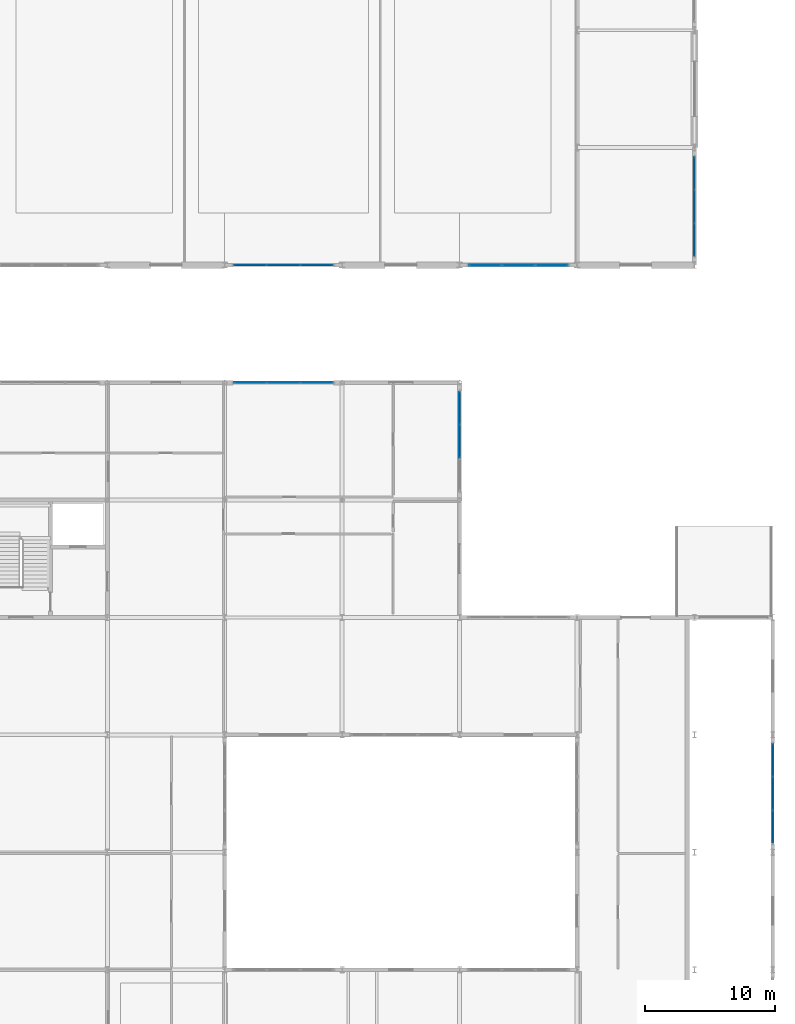
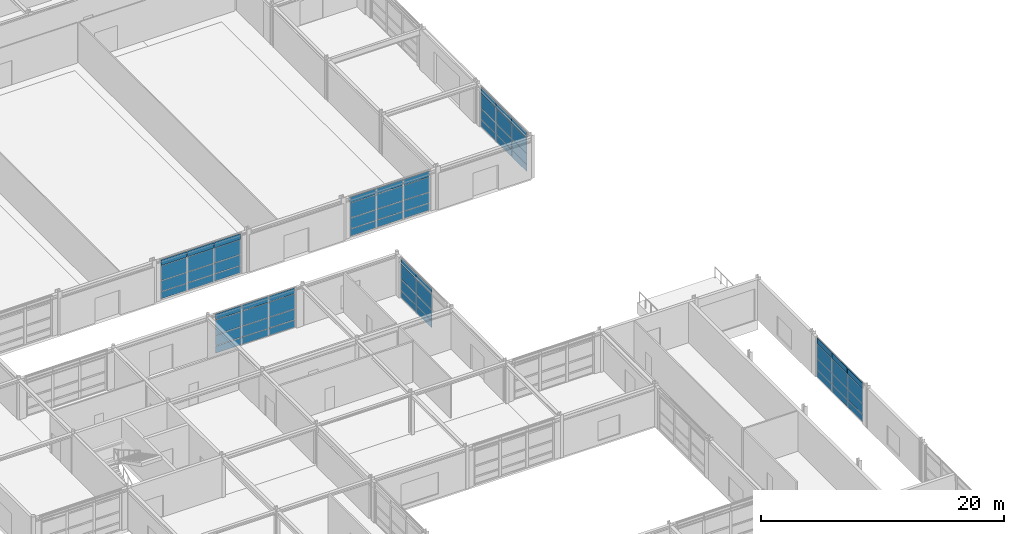
# One storey, part 53 of 72: 68 plates, 6 elements without a shape of their own.
"""IFC4 building model written with IfcOpenShell, lengths in metres."""

from ifc_helpers import new_model, si_unit, direction, frame, origin, origin_2d, place, context, subcontext, project, spatial, rectangle, extrude, material, layer, layer_set, type_object, element, aggregate, save


model = new_model("IFC4")

# Units and contexts
model_context = context("Model", 3, precision=1e-05, world=origin(), true_north=direction((0.0, 1.0)))
body_context = subcontext(model_context, "Body", "Model", "MODEL_VIEW")
ifc_project = project(units=[si_unit("LENGTHUNIT", "METRE"), si_unit("AREAUNIT", "SQUARE_METRE"), si_unit("VOLUMEUNIT", "CUBIC_METRE"), si_unit("PLANEANGLEUNIT", "RADIAN"), si_unit("MASSUNIT", "GRAM", prefix="KILO")], contexts=[model_context])

# Site, building, storey
site_placement = place(None, origin())
site = spatial("IfcSite", under=ifc_project, at=site_placement, CompositionType="ELEMENT")
building_placement = place(site_placement, origin())
building = spatial("IfcBuilding", under=site, at=building_placement, Name="Palais des Congres Ocreval", CompositionType="ELEMENT")
storey_placement = place(building_placement, origin())
storey = spatial("IfcBuildingStorey", under=building, at=storey_placement, Name="L00", CompositionType="ELEMENT", Elevation=0.0)

# Curtain wall, plates
ifc_material_1 = material(Name="Anodized bronze aluminium and low-E glass", Category="glass")
curtain_wall_type = type_object("IfcCurtainWallType", Name="Unitised Curtain Wall 7900x4060", PredefinedType="USERDEFINED", material=ifc_material_1)
curtain_wall_1_placement = place(storey_placement, origin())
curtain_wall_1 = element("IfcCurtainWall", 1, at=curtain_wall_1_placement, inside=storey, type_object=curtain_wall_type, Name="Unitised Curtain Wall CW01 L00", ObjectType="UNITISED CURTAIN WALL", PredefinedType="USERDEFINED")
ifc_material_2 = material(Name="Acoustic triple glazing", Category="glass")
ifc_layer_1 = layer(ifc_material_2, 0.0439453125)
ifc_layer_set_1 = layer_set([ifc_layer_1], Name="Acoustic Laminated Glazing Panel 44 (Acoustic triple glazing)")
plate_type_1 = type_object("IfcPlateType", Name="Acoustic Laminated Glazing Panel 44", PredefinedType="CURTAIN_PANEL", material=ifc_layer_set_1)
plate_1_placement = place(storey_placement, frame((133.0478515625, 72.0, 0.06005859375), z_axis=(0.0, 0.0, 1.0), x_axis=(-1.0, 0.0, 0.0)))
plate_1 = element("IfcPlate", 2, at=plate_1_placement, type_object=plate_type_1, Name="Vision Glazing Panel VP02", PredefinedType="CURTAIN_PANEL", context=body_context, shape_type="SweptSolid", body=[
    extrude(rectangle(XDim=2.4541015625, YDim=0.0439453125, at=origin_2d()), origin(), (0.0, 0.0, 1.0), 0.68994140625),
])
plate_2_placement = place(storey_placement, frame((133.0478515625, 72.0, 0.81005859375), z_axis=(0.0, 0.0, 1.0), x_axis=(-1.0, 0.0, 0.0)))
plate_2 = element("IfcPlate", 3, at=plate_2_placement, type_object=plate_type_1, Name="Vision Glazing Panel VP02", PredefinedType="CURTAIN_PANEL", context=body_context, shape_type="SweptSolid", body=[
    extrude(rectangle(XDim=2.4541015625, YDim=0.0439453125, at=origin_2d()), origin(), (0.0, 0.0, 1.0), 1.03271484375),
])
plate_3_placement = place(storey_placement, frame((133.0478515625, 72.0, 1.90283203125), z_axis=(0.0, 0.0, 1.0), x_axis=(-1.0, 0.0, 0.0)))
plate_3 = element("IfcPlate", 4, at=plate_3_placement, type_object=plate_type_1, Name="Vision Glazing Panel VP02", PredefinedType="CURTAIN_PANEL", context=body_context, shape_type="SweptSolid", body=[
    extrude(rectangle(XDim=2.4541015625, YDim=0.0439453125, at=origin_2d()), origin(), (0.0, 0.0, 1.0), 1.47216796875),
])
plate_4_placement = place(storey_placement, frame((130.5, 72.0, 0.06005859375), z_axis=(0.0, 0.0, 1.0), x_axis=(-1.0, 0.0, 0.0)))
plate_4 = element("IfcPlate", 5, at=plate_4_placement, type_object=plate_type_1, Name="Vision Glazing Panel VP02", PredefinedType="CURTAIN_PANEL", context=body_context, shape_type="SweptSolid", body=[
    extrude(rectangle(XDim=2.49169921875, YDim=0.0439453125, at=origin_2d()), origin(), (0.0, 0.0, 1.0), 0.68994140625),
])
plate_5_placement = place(storey_placement, frame((130.5, 72.0, 0.81005859375), z_axis=(0.0, 0.0, 1.0), x_axis=(-1.0, 0.0, 0.0)))
plate_5 = element("IfcPlate", 6, at=plate_5_placement, type_object=plate_type_1, Name="Vision Glazing Panel VP02", PredefinedType="CURTAIN_PANEL", context=body_context, shape_type="SweptSolid", body=[
    extrude(rectangle(XDim=2.49169921875, YDim=0.0439453125, at=origin_2d()), origin(), (0.0, 0.0, 1.0), 1.03271484375),
])
plate_6_placement = place(storey_placement, frame((130.5, 72.0, 1.90283203125), z_axis=(0.0, 0.0, 1.0), x_axis=(-1.0, 0.0, 0.0)))
plate_6 = element("IfcPlate", 7, at=plate_6_placement, type_object=plate_type_1, Name="Vision Glazing Panel VP02", PredefinedType="CURTAIN_PANEL", context=body_context, shape_type="SweptSolid", body=[
    extrude(rectangle(XDim=2.49169921875, YDim=0.0439453125, at=origin_2d()), origin(), (0.0, 0.0, 1.0), 1.47216796875),
])
plate_7_placement = place(storey_placement, frame((127.9521484375, 72.0, 0.06005859375), z_axis=(0.0, 0.0, 1.0), x_axis=(-1.0, 0.0, 0.0)))
plate_7 = element("IfcPlate", 8, at=plate_7_placement, type_object=plate_type_1, Name="Vision Glazing Panel VP02", PredefinedType="CURTAIN_PANEL", context=body_context, shape_type="SweptSolid", body=[
    extrude(rectangle(XDim=2.4541015625, YDim=0.0439453125, at=origin_2d()), origin(), (0.0, 0.0, 1.0), 0.68994140625),
])
plate_8_placement = place(storey_placement, frame((127.9521484375, 72.0, 0.81005859375), z_axis=(0.0, 0.0, 1.0), x_axis=(-1.0, 0.0, 0.0)))
plate_8 = element("IfcPlate", 9, at=plate_8_placement, type_object=plate_type_1, Name="Vision Glazing Panel VP02", PredefinedType="CURTAIN_PANEL", context=body_context, shape_type="SweptSolid", body=[
    extrude(rectangle(XDim=2.4541015625, YDim=0.0439453125, at=origin_2d()), origin(), (0.0, 0.0, 1.0), 1.03271484375),
])
plate_9_placement = place(storey_placement, frame((127.9521484375, 72.0, 1.90283203125), z_axis=(0.0, 0.0, 1.0), x_axis=(-1.0, 0.0, 0.0)))
plate_9 = element("IfcPlate", 10, at=plate_9_placement, type_object=plate_type_1, Name="Vision Glazing Panel VP02", PredefinedType="CURTAIN_PANEL", context=body_context, shape_type="SweptSolid", body=[
    extrude(rectangle(XDim=2.4541015625, YDim=0.0439453125, at=origin_2d()), origin(), (0.0, 0.0, 1.0), 1.47216796875),
])

curtain_wall_2_placement = place(storey_placement, origin())
curtain_wall_2 = element("IfcCurtainWall", 11, at=curtain_wall_2_placement, inside=storey, type_object=curtain_wall_type, Name="Unitised Curtain Wall CW01 L00", ObjectType="UNITISED CURTAIN WALL", PredefinedType="USERDEFINED")
plate_10_placement = place(storey_placement, frame((127.9521484375, 63.0, 0.06005859375), z_axis=(0.0, 0.0, 1.0), x_axis=(1.0, 0.0, 0.0)))
plate_10 = element("IfcPlate", 12, at=plate_10_placement, type_object=plate_type_1, Name="Vision Glazing Panel VP02", PredefinedType="CURTAIN_PANEL", context=body_context, shape_type="SweptSolid", body=[
    extrude(rectangle(XDim=2.4541015625, YDim=0.0439453125, at=origin_2d()), origin(), (0.0, 0.0, 1.0), 0.68994140625),
])
plate_11_placement = place(storey_placement, frame((127.9521484375, 63.0, 0.81005859375), z_axis=(0.0, 0.0, 1.0), x_axis=(1.0, 0.0, 0.0)))
plate_11 = element("IfcPlate", 13, at=plate_11_placement, type_object=plate_type_1, Name="Vision Glazing Panel VP02", PredefinedType="CURTAIN_PANEL", context=body_context, shape_type="SweptSolid", body=[
    extrude(rectangle(XDim=2.4541015625, YDim=0.0439453125, at=origin_2d()), origin(), (0.0, 0.0, 1.0), 1.03271484375),
])
plate_12_placement = place(storey_placement, frame((127.9521484375, 63.0, 1.90283203125), z_axis=(0.0, 0.0, 1.0), x_axis=(1.0, 0.0, 0.0)))
plate_12 = element("IfcPlate", 14, at=plate_12_placement, type_object=plate_type_1, Name="Vision Glazing Panel VP02", PredefinedType="CURTAIN_PANEL", context=body_context, shape_type="SweptSolid", body=[
    extrude(rectangle(XDim=2.4541015625, YDim=0.0439453125, at=origin_2d()), origin(), (0.0, 0.0, 1.0), 1.47216796875),
])
plate_13_placement = place(storey_placement, frame((130.5, 63.0, 0.06005859375), z_axis=(0.0, 0.0, 1.0), x_axis=(1.0, 0.0, 0.0)))
plate_13 = element("IfcPlate", 15, at=plate_13_placement, type_object=plate_type_1, Name="Vision Glazing Panel VP02", PredefinedType="CURTAIN_PANEL", context=body_context, shape_type="SweptSolid", body=[
    extrude(rectangle(XDim=2.49169921875, YDim=0.0439453125, at=origin_2d()), origin(), (0.0, 0.0, 1.0), 0.68994140625),
])
plate_14_placement = place(storey_placement, frame((130.5, 63.0, 0.81005859375), z_axis=(0.0, 0.0, 1.0), x_axis=(1.0, 0.0, 0.0)))
plate_14 = element("IfcPlate", 16, at=plate_14_placement, type_object=plate_type_1, Name="Vision Glazing Panel VP02", PredefinedType="CURTAIN_PANEL", context=body_context, shape_type="SweptSolid", body=[
    extrude(rectangle(XDim=2.49169921875, YDim=0.0439453125, at=origin_2d()), origin(), (0.0, 0.0, 1.0), 1.03271484375),
])
plate_15_placement = place(storey_placement, frame((130.5, 63.0, 1.90283203125), z_axis=(0.0, 0.0, 1.0), x_axis=(1.0, 0.0, 0.0)))
plate_15 = element("IfcPlate", 17, at=plate_15_placement, type_object=plate_type_1, Name="Vision Glazing Panel VP02", PredefinedType="CURTAIN_PANEL", context=body_context, shape_type="SweptSolid", body=[
    extrude(rectangle(XDim=2.49169921875, YDim=0.0439453125, at=origin_2d()), origin(), (0.0, 0.0, 1.0), 1.47216796875),
])
plate_16_placement = place(storey_placement, frame((133.0478515625, 63.0, 0.06005859375), z_axis=(0.0, 0.0, 1.0), x_axis=(1.0, 0.0, 0.0)))
plate_16 = element("IfcPlate", 18, at=plate_16_placement, type_object=plate_type_1, Name="Vision Glazing Panel VP02", PredefinedType="CURTAIN_PANEL", context=body_context, shape_type="SweptSolid", body=[
    extrude(rectangle(XDim=2.4541015625, YDim=0.0439453125, at=origin_2d()), origin(), (0.0, 0.0, 1.0), 0.68994140625),
])
plate_17_placement = place(storey_placement, frame((133.0478515625, 63.0, 0.81005859375), z_axis=(0.0, 0.0, 1.0), x_axis=(1.0, 0.0, 0.0)))
plate_17 = element("IfcPlate", 19, at=plate_17_placement, type_object=plate_type_1, Name="Vision Glazing Panel VP02", PredefinedType="CURTAIN_PANEL", context=body_context, shape_type="SweptSolid", body=[
    extrude(rectangle(XDim=2.4541015625, YDim=0.0439453125, at=origin_2d()), origin(), (0.0, 0.0, 1.0), 1.03271484375),
])
plate_18_placement = place(storey_placement, frame((133.0478515625, 63.0, 1.90283203125), z_axis=(0.0, 0.0, 1.0), x_axis=(1.0, 0.0, 0.0)))
plate_18 = element("IfcPlate", 20, at=plate_18_placement, type_object=plate_type_1, Name="Vision Glazing Panel VP02", PredefinedType="CURTAIN_PANEL", context=body_context, shape_type="SweptSolid", body=[
    extrude(rectangle(XDim=2.4541015625, YDim=0.0439453125, at=origin_2d()), origin(), (0.0, 0.0, 1.0), 1.47216796875),
])

curtain_wall_3_placement = place(storey_placement, origin())
curtain_wall_3 = element("IfcCurtainWall", 21, at=curtain_wall_3_placement, inside=storey, type_object=curtain_wall_type, Name="Unitised Curtain Wall CW01 L00", ObjectType="UNITISED CURTAIN WALL", PredefinedType="USERDEFINED")
plate_19_placement = place(storey_placement, frame((168.0, 34.0478515625, 0.06005859375), z_axis=(0.0, 0.0, 1.0), x_axis=(0.0, -1.0, 0.0)))
plate_19 = element("IfcPlate", 22, at=plate_19_placement, type_object=plate_type_1, Name="Vision Glazing Panel VP02", PredefinedType="CURTAIN_PANEL", context=body_context, shape_type="SweptSolid", body=[
    extrude(rectangle(XDim=2.4541015625, YDim=0.0439453125, at=origin_2d()), origin(), (0.0, 0.0, 1.0), 0.68994140625),
])
plate_20_placement = place(storey_placement, frame((168.0, 34.0478515625, 0.81005859375), z_axis=(0.0, 0.0, 1.0), x_axis=(0.0, -1.0, 0.0)))
plate_20 = element("IfcPlate", 23, at=plate_20_placement, type_object=plate_type_1, Name="Vision Glazing Panel VP02", PredefinedType="CURTAIN_PANEL", context=body_context, shape_type="SweptSolid", body=[
    extrude(rectangle(XDim=2.4541015625, YDim=0.0439453125, at=origin_2d()), origin(), (0.0, 0.0, 1.0), 1.03271484375),
])
plate_21_placement = place(storey_placement, frame((168.0, 34.0478515625, 1.90283203125), z_axis=(0.0, 0.0, 1.0), x_axis=(0.0, -1.0, 0.0)))
plate_21 = element("IfcPlate", 24, at=plate_21_placement, type_object=plate_type_1, Name="Vision Glazing Panel VP02", PredefinedType="CURTAIN_PANEL", context=body_context, shape_type="SweptSolid", body=[
    extrude(rectangle(XDim=2.4541015625, YDim=0.0439453125, at=origin_2d()), origin(), (0.0, 0.0, 1.0), 1.47216796875),
])
plate_22_placement = place(storey_placement, frame((168.0, 31.5, 0.06005859375), z_axis=(0.0, 0.0, 1.0), x_axis=(0.0, -1.0, 0.0)))
plate_22 = element("IfcPlate", 25, at=plate_22_placement, type_object=plate_type_1, Name="Vision Glazing Panel VP02", PredefinedType="CURTAIN_PANEL", context=body_context, shape_type="SweptSolid", body=[
    extrude(rectangle(XDim=2.49169921875, YDim=0.0439453125, at=origin_2d()), origin(), (0.0, 0.0, 1.0), 0.68994140625),
])
plate_23_placement = place(storey_placement, frame((168.0, 31.5, 0.81005859375), z_axis=(0.0, 0.0, 1.0), x_axis=(0.0, -1.0, 0.0)))
plate_23 = element("IfcPlate", 26, at=plate_23_placement, type_object=plate_type_1, Name="Vision Glazing Panel VP02", PredefinedType="CURTAIN_PANEL", context=body_context, shape_type="SweptSolid", body=[
    extrude(rectangle(XDim=2.49169921875, YDim=0.0439453125, at=origin_2d()), origin(), (0.0, 0.0, 1.0), 1.03271484375),
])
plate_24_placement = place(storey_placement, frame((168.0, 31.5, 1.90283203125), z_axis=(0.0, 0.0, 1.0), x_axis=(0.0, -1.0, 0.0)))
plate_24 = element("IfcPlate", 27, at=plate_24_placement, type_object=plate_type_1, Name="Vision Glazing Panel VP02", PredefinedType="CURTAIN_PANEL", context=body_context, shape_type="SweptSolid", body=[
    extrude(rectangle(XDim=2.49169921875, YDim=0.0439453125, at=origin_2d()), origin(), (0.0, 0.0, 1.0), 1.47216796875),
])
plate_25_placement = place(storey_placement, frame((168.0, 28.9521484375, 0.06005859375), z_axis=(0.0, 0.0, 1.0), x_axis=(0.0, -1.0, 0.0)))
plate_25 = element("IfcPlate", 28, at=plate_25_placement, type_object=plate_type_1, Name="Vision Glazing Panel VP02", PredefinedType="CURTAIN_PANEL", context=body_context, shape_type="SweptSolid", body=[
    extrude(rectangle(XDim=2.4541015625, YDim=0.0439453125, at=origin_2d()), origin(), (0.0, 0.0, 1.0), 0.68994140625),
])
plate_26_placement = place(storey_placement, frame((168.0, 28.9521484375, 0.81005859375), z_axis=(0.0, 0.0, 1.0), x_axis=(0.0, -1.0, 0.0)))
plate_26 = element("IfcPlate", 29, at=plate_26_placement, type_object=plate_type_1, Name="Vision Glazing Panel VP02", PredefinedType="CURTAIN_PANEL", context=body_context, shape_type="SweptSolid", body=[
    extrude(rectangle(XDim=2.4541015625, YDim=0.0439453125, at=origin_2d()), origin(), (0.0, 0.0, 1.0), 1.03271484375),
])
plate_27_placement = place(storey_placement, frame((168.0, 28.9521484375, 1.90283203125), z_axis=(0.0, 0.0, 1.0), x_axis=(0.0, -1.0, 0.0)))
plate_27 = element("IfcPlate", 30, at=plate_27_placement, type_object=plate_type_1, Name="Vision Glazing Panel VP02", PredefinedType="CURTAIN_PANEL", context=body_context, shape_type="SweptSolid", body=[
    extrude(rectangle(XDim=2.4541015625, YDim=0.0439453125, at=origin_2d()), origin(), (0.0, 0.0, 1.0), 1.47216796875),
])

curtain_wall_4_placement = place(storey_placement, origin())
curtain_wall_4 = element("IfcCurtainWall", 31, at=curtain_wall_4_placement, inside=storey, type_object=curtain_wall_type, Name="Unitised Curtain Wall CW01 L00", ObjectType="UNITISED CURTAIN WALL", PredefinedType="USERDEFINED")
ifc_material_3 = material(Name="Anodized bronze aluminium", Category="aluminium")
ifc_layer_2 = layer(ifc_material_3, 0.06005859375)
ifc_layer_set_2 = layer_set([ifc_layer_2], Name="Anodized Bronze Spandrel Cassette 60 (Anodized bronze aluminium)")
plate_type_2 = type_object("IfcPlateType", Name="Anodized Bronze Spandrel Cassette 60", PredefinedType="SHEET", material=ifc_layer_set_2)
plate_28_placement = place(storey_placement, frame((151.0478515625, 72.0, 3.43505859375), z_axis=(0.0, 0.0, 1.0), x_axis=(-1.0, 0.0, 0.0)))
plate_28 = element("IfcPlate", 32, at=plate_28_placement, type_object=plate_type_2, Name="Spandrel Sheet SPN1", PredefinedType="SHEET", context=body_context, shape_type="SweptSolid", body=[
    extrude(rectangle(XDim=2.4541015625, YDim=0.06005859375, at=origin_2d()), origin(), (0.0, 0.0, 1.0), 0.56005859375),
])
plate_29_placement = place(storey_placement, frame((148.5, 72.0, 3.43505859375), z_axis=(0.0, 0.0, 1.0), x_axis=(-1.0, 0.0, 0.0)))
plate_29 = element("IfcPlate", 33, at=plate_29_placement, type_object=plate_type_2, Name="Spandrel Sheet SPN1", PredefinedType="SHEET", context=body_context, shape_type="SweptSolid", body=[
    extrude(rectangle(XDim=2.49169921875, YDim=0.06005859375, at=origin_2d()), origin(), (0.0, 0.0, 1.0), 0.56005859375),
])
plate_30_placement = place(storey_placement, frame((145.9521484375, 72.0, 3.43505859375), z_axis=(0.0, 0.0, 1.0), x_axis=(-1.0, 0.0, 0.0)))
plate_30 = element("IfcPlate", 34, at=plate_30_placement, type_object=plate_type_2, Name="Spandrel Sheet SPN1", PredefinedType="SHEET", context=body_context, shape_type="SweptSolid", body=[
    extrude(rectangle(XDim=2.4541015625, YDim=0.06005859375, at=origin_2d()), origin(), (0.0, 0.0, 1.0), 0.56005859375),
])

# Plate
plate_31_placement = place(storey_placement, frame((127.9521484375, 63.0, 3.43505859375), z_axis=(0.0, 0.0, 1.0), x_axis=(1.0, 0.0, 0.0)))
plate_31 = element("IfcPlate", 35, at=plate_31_placement, type_object=plate_type_2, Name="Spandrel Sheet SPN1", PredefinedType="SHEET", context=body_context, shape_type="SweptSolid", body=[
    extrude(rectangle(XDim=2.4541015625, YDim=0.06005859375, at=origin_2d()), origin(), (0.0, 0.0, 1.0), 0.56005859375),
])

plate_32_placement = place(storey_placement, frame((130.5, 63.0, 3.43505859375), z_axis=(0.0, 0.0, 1.0), x_axis=(1.0, 0.0, 0.0)))
plate_32 = element("IfcPlate", 36, at=plate_32_placement, type_object=plate_type_2, Name="Spandrel Sheet SPN1", PredefinedType="SHEET", context=body_context, shape_type="SweptSolid", body=[
    extrude(rectangle(XDim=2.49169921875, YDim=0.06005859375, at=origin_2d()), origin(), (0.0, 0.0, 1.0), 0.56005859375),
])

plate_33_placement = place(storey_placement, frame((133.0478515625, 63.0, 3.43505859375), z_axis=(0.0, 0.0, 1.0), x_axis=(1.0, 0.0, 0.0)))
plate_33 = element("IfcPlate", 37, at=plate_33_placement, type_object=plate_type_2, Name="Spandrel Sheet SPN1", PredefinedType="SHEET", context=body_context, shape_type="SweptSolid", body=[
    extrude(rectangle(XDim=2.4541015625, YDim=0.06005859375, at=origin_2d()), origin(), (0.0, 0.0, 1.0), 0.56005859375),
])

aggregate(curtain_wall_2, [plate_10, plate_11, plate_12, plate_31, plate_13, plate_14, plate_15, plate_32, plate_16, plate_17, plate_18, plate_33])

# Curtain wall, plates
curtain_wall_5_placement = place(storey_placement, origin())
curtain_wall_5 = element("IfcCurtainWall", 38, at=curtain_wall_5_placement, inside=storey, type_object=curtain_wall_type, Name="Unitised Curtain Wall CW01 L00", ObjectType="UNITISED CURTAIN WALL", PredefinedType="USERDEFINED")
ifc_material_4 = material(Name="Low-E solar-control double glazing", Category="glass")
ifc_layer_3 = layer(ifc_material_4, 0.031982421875)
ifc_layer_set_3 = layer_set([ifc_layer_3], Name="Galleria Clear Vision Panel 32 (Low-E solar-control double glazing)")
plate_type_3 = type_object("IfcPlateType", Name="Galleria Clear Vision Panel 32", PredefinedType="CURTAIN_PANEL", material=ifc_layer_set_3)
plate_34_placement = place(storey_placement, frame((162.0, 79.0478515625, 0.06005859375), z_axis=(0.0, 0.0, 1.0), x_axis=(0.0, -1.0, 0.0)))
plate_34 = element("IfcPlate", 39, at=plate_34_placement, type_object=plate_type_3, Name="Vision Glazing Panel VP03", PredefinedType="CURTAIN_PANEL", context=body_context, shape_type="SweptSolid", body=[
    extrude(rectangle(XDim=2.4541015625, YDim=0.031982421875, at=origin_2d()), origin(), (0.0, 0.0, 1.0), 0.68994140625),
])
plate_35_placement = place(storey_placement, frame((162.0, 79.0478515625, 0.81005859375), z_axis=(0.0, 0.0, 1.0), x_axis=(0.0, -1.0, 0.0)))
plate_35 = element("IfcPlate", 40, at=plate_35_placement, type_object=plate_type_3, Name="Vision Glazing Panel VP03", PredefinedType="CURTAIN_PANEL", context=body_context, shape_type="SweptSolid", body=[
    extrude(rectangle(XDim=2.4541015625, YDim=0.031982421875, at=origin_2d()), origin(), (0.0, 0.0, 1.0), 1.03271484375),
])
plate_36_placement = place(storey_placement, frame((162.0, 79.0478515625, 1.90283203125), z_axis=(0.0, 0.0, 1.0), x_axis=(0.0, -1.0, 0.0)))
plate_36 = element("IfcPlate", 41, at=plate_36_placement, type_object=plate_type_3, Name="Vision Glazing Panel VP03", PredefinedType="CURTAIN_PANEL", context=body_context, shape_type="SweptSolid", body=[
    extrude(rectangle(XDim=2.4541015625, YDim=0.031982421875, at=origin_2d()), origin(), (0.0, 0.0, 1.0), 1.47216796875),
])
plate_37_placement = place(storey_placement, frame((162.0, 76.5, 0.06005859375), z_axis=(0.0, 0.0, 1.0), x_axis=(0.0, -1.0, 0.0)))
plate_37 = element("IfcPlate", 42, at=plate_37_placement, type_object=plate_type_3, Name="Vision Glazing Panel VP03", PredefinedType="CURTAIN_PANEL", context=body_context, shape_type="SweptSolid", body=[
    extrude(rectangle(XDim=2.49169921875, YDim=0.031982421875, at=origin_2d()), origin(), (0.0, 0.0, 1.0), 0.68994140625),
])
plate_38_placement = place(storey_placement, frame((162.0, 76.5, 0.81005859375), z_axis=(0.0, 0.0, 1.0), x_axis=(0.0, -1.0, 0.0)))
plate_38 = element("IfcPlate", 43, at=plate_38_placement, type_object=plate_type_3, Name="Vision Glazing Panel VP03", PredefinedType="CURTAIN_PANEL", context=body_context, shape_type="SweptSolid", body=[
    extrude(rectangle(XDim=2.49169921875, YDim=0.031982421875, at=origin_2d()), origin(), (0.0, 0.0, 1.0), 1.03271484375),
])
plate_39_placement = place(storey_placement, frame((162.0, 76.5, 1.90283203125), z_axis=(0.0, 0.0, 1.0), x_axis=(0.0, -1.0, 0.0)))
plate_39 = element("IfcPlate", 44, at=plate_39_placement, type_object=plate_type_3, Name="Vision Glazing Panel VP03", PredefinedType="CURTAIN_PANEL", context=body_context, shape_type="SweptSolid", body=[
    extrude(rectangle(XDim=2.49169921875, YDim=0.031982421875, at=origin_2d()), origin(), (0.0, 0.0, 1.0), 1.47216796875),
])
plate_40_placement = place(storey_placement, frame((162.0, 73.9521484375, 0.06005859375), z_axis=(0.0, 0.0, 1.0), x_axis=(0.0, -1.0, 0.0)))
plate_40 = element("IfcPlate", 45, at=plate_40_placement, type_object=plate_type_3, Name="Vision Glazing Panel VP03", PredefinedType="CURTAIN_PANEL", context=body_context, shape_type="SweptSolid", body=[
    extrude(rectangle(XDim=2.4541015625, YDim=0.031982421875, at=origin_2d()), origin(), (0.0, 0.0, 1.0), 0.68994140625),
])
plate_41_placement = place(storey_placement, frame((162.0, 73.9521484375, 0.81005859375), z_axis=(0.0, 0.0, 1.0), x_axis=(0.0, -1.0, 0.0)))
plate_41 = element("IfcPlate", 46, at=plate_41_placement, type_object=plate_type_3, Name="Vision Glazing Panel VP03", PredefinedType="CURTAIN_PANEL", context=body_context, shape_type="SweptSolid", body=[
    extrude(rectangle(XDim=2.4541015625, YDim=0.031982421875, at=origin_2d()), origin(), (0.0, 0.0, 1.0), 1.03271484375),
])
plate_42_placement = place(storey_placement, frame((162.0, 73.9521484375, 1.90283203125), z_axis=(0.0, 0.0, 1.0), x_axis=(0.0, -1.0, 0.0)))
plate_42 = element("IfcPlate", 47, at=plate_42_placement, type_object=plate_type_3, Name="Vision Glazing Panel VP03", PredefinedType="CURTAIN_PANEL", context=body_context, shape_type="SweptSolid", body=[
    extrude(rectangle(XDim=2.4541015625, YDim=0.031982421875, at=origin_2d()), origin(), (0.0, 0.0, 1.0), 1.47216796875),
])

curtain_wall_6_placement = place(storey_placement, origin())
curtain_wall_6 = element("IfcCurtainWall", 48, at=curtain_wall_6_placement, inside=storey, type_object=curtain_wall_type, Name="Unitised Curtain Wall CW01 L00", ObjectType="UNITISED CURTAIN WALL", PredefinedType="USERDEFINED")
plate_43_placement = place(storey_placement, frame((144.0, 61.0478515625, 0.06005859375), z_axis=(0.0, 0.0, 1.0), x_axis=(0.0, -1.0, 0.0)))
plate_43 = element("IfcPlate", 49, at=plate_43_placement, type_object=plate_type_3, Name="Vision Glazing Panel VP03", PredefinedType="CURTAIN_PANEL", context=body_context, shape_type="SweptSolid", body=[
    extrude(rectangle(XDim=2.4541015625, YDim=0.031982421875, at=origin_2d()), origin(), (0.0, 0.0, 1.0), 0.68994140625),
])
plate_44_placement = place(storey_placement, frame((144.0, 61.0478515625, 0.81005859375), z_axis=(0.0, 0.0, 1.0), x_axis=(0.0, -1.0, 0.0)))
plate_44 = element("IfcPlate", 50, at=plate_44_placement, type_object=plate_type_3, Name="Vision Glazing Panel VP03", PredefinedType="CURTAIN_PANEL", context=body_context, shape_type="SweptSolid", body=[
    extrude(rectangle(XDim=2.4541015625, YDim=0.031982421875, at=origin_2d()), origin(), (0.0, 0.0, 1.0), 1.03271484375),
])
plate_45_placement = place(storey_placement, frame((144.0, 61.0478515625, 1.90283203125), z_axis=(0.0, 0.0, 1.0), x_axis=(0.0, -1.0, 0.0)))
plate_45 = element("IfcPlate", 51, at=plate_45_placement, type_object=plate_type_3, Name="Vision Glazing Panel VP03", PredefinedType="CURTAIN_PANEL", context=body_context, shape_type="SweptSolid", body=[
    extrude(rectangle(XDim=2.4541015625, YDim=0.031982421875, at=origin_2d()), origin(), (0.0, 0.0, 1.0), 1.47216796875),
])
plate_46_placement = place(storey_placement, frame((144.0, 58.5, 0.06005859375), z_axis=(0.0, 0.0, 1.0), x_axis=(0.0, -1.0, 0.0)))
plate_46 = element("IfcPlate", 52, at=plate_46_placement, type_object=plate_type_3, Name="Vision Glazing Panel VP03", PredefinedType="CURTAIN_PANEL", context=body_context, shape_type="SweptSolid", body=[
    extrude(rectangle(XDim=2.49169921875, YDim=0.031982421875, at=origin_2d()), origin(), (0.0, 0.0, 1.0), 0.68994140625),
])
plate_47_placement = place(storey_placement, frame((144.0, 58.5, 0.81005859375), z_axis=(0.0, 0.0, 1.0), x_axis=(0.0, -1.0, 0.0)))
plate_47 = element("IfcPlate", 53, at=plate_47_placement, type_object=plate_type_3, Name="Vision Glazing Panel VP03", PredefinedType="CURTAIN_PANEL", context=body_context, shape_type="SweptSolid", body=[
    extrude(rectangle(XDim=2.49169921875, YDim=0.031982421875, at=origin_2d()), origin(), (0.0, 0.0, 1.0), 1.03271484375),
])
plate_48_placement = place(storey_placement, frame((144.0, 58.5, 1.90283203125), z_axis=(0.0, 0.0, 1.0), x_axis=(0.0, -1.0, 0.0)))
plate_48 = element("IfcPlate", 54, at=plate_48_placement, type_object=plate_type_3, Name="Vision Glazing Panel VP03", PredefinedType="CURTAIN_PANEL", context=body_context, shape_type="SweptSolid", body=[
    extrude(rectangle(XDim=2.49169921875, YDim=0.031982421875, at=origin_2d()), origin(), (0.0, 0.0, 1.0), 1.47216796875),
])

# Plate
ifc_layer_4 = layer(ifc_material_4, 0.035888671875)
ifc_layer_set_4 = layer_set([ifc_layer_4], Name="Low-E Vision Glazing Panel 36 (Low-E solar-control double glazing)")
plate_type_4 = type_object("IfcPlateType", Name="Low-E Vision Glazing Panel 36", PredefinedType="CURTAIN_PANEL", material=ifc_layer_set_4)
plate_49_placement = place(storey_placement, frame((151.0478515625, 72.0, 0.06005859375), z_axis=(0.0, 0.0, 1.0), x_axis=(-1.0, 0.0, 0.0)))
plate_49 = element("IfcPlate", 55, at=plate_49_placement, type_object=plate_type_4, Name="Vision Glazing Panel VP01", PredefinedType="CURTAIN_PANEL", context=body_context, shape_type="SweptSolid", body=[
    extrude(rectangle(XDim=2.4541015625, YDim=0.035888671875, at=origin_2d()), origin(), (0.0, 0.0, 1.0), 0.68994140625),
])

plate_50_placement = place(storey_placement, frame((151.0478515625, 72.0, 0.81005859375), z_axis=(0.0, 0.0, 1.0), x_axis=(-1.0, 0.0, 0.0)))
plate_50 = element("IfcPlate", 56, at=plate_50_placement, type_object=plate_type_4, Name="Vision Glazing Panel VP01", PredefinedType="CURTAIN_PANEL", context=body_context, shape_type="SweptSolid", body=[
    extrude(rectangle(XDim=2.4541015625, YDim=0.035888671875, at=origin_2d()), origin(), (0.0, 0.0, 1.0), 1.03271484375),
])

plate_51_placement = place(storey_placement, frame((151.0478515625, 72.0, 1.90283203125), z_axis=(0.0, 0.0, 1.0), x_axis=(-1.0, 0.0, 0.0)))
plate_51 = element("IfcPlate", 57, at=plate_51_placement, type_object=plate_type_4, Name="Vision Glazing Panel VP01", PredefinedType="CURTAIN_PANEL", context=body_context, shape_type="SweptSolid", body=[
    extrude(rectangle(XDim=2.4541015625, YDim=0.035888671875, at=origin_2d()), origin(), (0.0, 0.0, 1.0), 1.47216796875),
])

plate_52_placement = place(storey_placement, frame((148.5, 72.0, 0.06005859375), z_axis=(0.0, 0.0, 1.0), x_axis=(-1.0, 0.0, 0.0)))
plate_52 = element("IfcPlate", 58, at=plate_52_placement, type_object=plate_type_4, Name="Vision Glazing Panel VP01", PredefinedType="CURTAIN_PANEL", context=body_context, shape_type="SweptSolid", body=[
    extrude(rectangle(XDim=2.49169921875, YDim=0.035888671875, at=origin_2d()), origin(), (0.0, 0.0, 1.0), 0.68994140625),
])

plate_53_placement = place(storey_placement, frame((148.5, 72.0, 0.81005859375), z_axis=(0.0, 0.0, 1.0), x_axis=(-1.0, 0.0, 0.0)))
plate_53 = element("IfcPlate", 59, at=plate_53_placement, type_object=plate_type_4, Name="Vision Glazing Panel VP01", PredefinedType="CURTAIN_PANEL", context=body_context, shape_type="SweptSolid", body=[
    extrude(rectangle(XDim=2.49169921875, YDim=0.035888671875, at=origin_2d()), origin(), (0.0, 0.0, 1.0), 1.03271484375),
])

plate_54_placement = place(storey_placement, frame((148.5, 72.0, 1.90283203125), z_axis=(0.0, 0.0, 1.0), x_axis=(-1.0, 0.0, 0.0)))
plate_54 = element("IfcPlate", 60, at=plate_54_placement, type_object=plate_type_4, Name="Vision Glazing Panel VP01", PredefinedType="CURTAIN_PANEL", context=body_context, shape_type="SweptSolid", body=[
    extrude(rectangle(XDim=2.49169921875, YDim=0.035888671875, at=origin_2d()), origin(), (0.0, 0.0, 1.0), 1.47216796875),
])

plate_55_placement = place(storey_placement, frame((145.9521484375, 72.0, 0.06005859375), z_axis=(0.0, 0.0, 1.0), x_axis=(-1.0, 0.0, 0.0)))
plate_55 = element("IfcPlate", 61, at=plate_55_placement, type_object=plate_type_4, Name="Vision Glazing Panel VP01", PredefinedType="CURTAIN_PANEL", context=body_context, shape_type="SweptSolid", body=[
    extrude(rectangle(XDim=2.4541015625, YDim=0.035888671875, at=origin_2d()), origin(), (0.0, 0.0, 1.0), 0.68994140625),
])

plate_56_placement = place(storey_placement, frame((145.9521484375, 72.0, 0.81005859375), z_axis=(0.0, 0.0, 1.0), x_axis=(-1.0, 0.0, 0.0)))
plate_56 = element("IfcPlate", 62, at=plate_56_placement, type_object=plate_type_4, Name="Vision Glazing Panel VP01", PredefinedType="CURTAIN_PANEL", context=body_context, shape_type="SweptSolid", body=[
    extrude(rectangle(XDim=2.4541015625, YDim=0.035888671875, at=origin_2d()), origin(), (0.0, 0.0, 1.0), 1.03271484375),
])

plate_57_placement = place(storey_placement, frame((145.9521484375, 72.0, 1.90283203125), z_axis=(0.0, 0.0, 1.0), x_axis=(-1.0, 0.0, 0.0)))
plate_57 = element("IfcPlate", 63, at=plate_57_placement, type_object=plate_type_4, Name="Vision Glazing Panel VP01", PredefinedType="CURTAIN_PANEL", context=body_context, shape_type="SweptSolid", body=[
    extrude(rectangle(XDim=2.4541015625, YDim=0.035888671875, at=origin_2d()), origin(), (0.0, 0.0, 1.0), 1.47216796875),
])

aggregate(curtain_wall_4, [plate_49, plate_50, plate_51, plate_28, plate_52, plate_53, plate_54, plate_29, plate_55, plate_56, plate_57, plate_30])

ifc_material_5 = material(Name="Terracotta ceramic spandrel", Category="masonry")
ifc_layer_5 = layer(ifc_material_5, 0.080078125)
ifc_layer_set_5 = layer_set([ifc_layer_5], Name="Terracotta Insulated Spandrel Sheet 80 (Terracotta ceramic spandrel)")
plate_type_5 = type_object("IfcPlateType", Name="Terracotta Insulated Spandrel Sheet 80", PredefinedType="SHEET", material=ifc_layer_set_5)
plate_58_placement = place(storey_placement, frame((162.0, 79.0478515625, 3.43505859375), z_axis=(0.0, 0.0, 1.0), x_axis=(0.0, -1.0, 0.0)))
plate_58 = element("IfcPlate", 64, at=plate_58_placement, type_object=plate_type_5, Name="Spandrel Sheet SPN2", PredefinedType="SHEET", context=body_context, shape_type="SweptSolid", body=[
    extrude(rectangle(XDim=2.4541015625, YDim=0.080078125, at=origin_2d()), origin(), (0.0, 0.0, 1.0), 0.56005859375),
])

plate_59_placement = place(storey_placement, frame((162.0, 76.5, 3.43505859375), z_axis=(0.0, 0.0, 1.0), x_axis=(0.0, -1.0, 0.0)))
plate_59 = element("IfcPlate", 65, at=plate_59_placement, type_object=plate_type_5, Name="Spandrel Sheet SPN2", PredefinedType="SHEET", context=body_context, shape_type="SweptSolid", body=[
    extrude(rectangle(XDim=2.49169921875, YDim=0.080078125, at=origin_2d()), origin(), (0.0, 0.0, 1.0), 0.56005859375),
])

plate_60_placement = place(storey_placement, frame((162.0, 73.9521484375, 3.43505859375), z_axis=(0.0, 0.0, 1.0), x_axis=(0.0, -1.0, 0.0)))
plate_60 = element("IfcPlate", 66, at=plate_60_placement, type_object=plate_type_5, Name="Spandrel Sheet SPN2", PredefinedType="SHEET", context=body_context, shape_type="SweptSolid", body=[
    extrude(rectangle(XDim=2.4541015625, YDim=0.080078125, at=origin_2d()), origin(), (0.0, 0.0, 1.0), 0.56005859375),
])

aggregate(curtain_wall_5, [plate_34, plate_35, plate_36, plate_58, plate_37, plate_38, plate_39, plate_59, plate_40, plate_41, plate_42, plate_60])

plate_61_placement = place(storey_placement, frame((133.0478515625, 72.0, 3.43505859375), z_axis=(0.0, 0.0, 1.0), x_axis=(-1.0, 0.0, 0.0)))
plate_61 = element("IfcPlate", 67, at=plate_61_placement, type_object=plate_type_5, Name="Spandrel Sheet SPN2", PredefinedType="SHEET", context=body_context, shape_type="SweptSolid", body=[
    extrude(rectangle(XDim=2.4541015625, YDim=0.080078125, at=origin_2d()), origin(), (0.0, 0.0, 1.0), 0.56005859375),
])

plate_62_placement = place(storey_placement, frame((130.5, 72.0, 3.43505859375), z_axis=(0.0, 0.0, 1.0), x_axis=(-1.0, 0.0, 0.0)))
plate_62 = element("IfcPlate", 68, at=plate_62_placement, type_object=plate_type_5, Name="Spandrel Sheet SPN2", PredefinedType="SHEET", context=body_context, shape_type="SweptSolid", body=[
    extrude(rectangle(XDim=2.49169921875, YDim=0.080078125, at=origin_2d()), origin(), (0.0, 0.0, 1.0), 0.56005859375),
])

plate_63_placement = place(storey_placement, frame((127.9521484375, 72.0, 3.43505859375), z_axis=(0.0, 0.0, 1.0), x_axis=(-1.0, 0.0, 0.0)))
plate_63 = element("IfcPlate", 69, at=plate_63_placement, type_object=plate_type_5, Name="Spandrel Sheet SPN2", PredefinedType="SHEET", context=body_context, shape_type="SweptSolid", body=[
    extrude(rectangle(XDim=2.4541015625, YDim=0.080078125, at=origin_2d()), origin(), (0.0, 0.0, 1.0), 0.56005859375),
])

aggregate(curtain_wall_1, [plate_1, plate_2, plate_3, plate_61, plate_4, plate_5, plate_6, plate_62, plate_7, plate_8, plate_9, plate_63])

plate_64_placement = place(storey_placement, frame((144.0, 61.0478515625, 3.43505859375), z_axis=(0.0, 0.0, 1.0), x_axis=(0.0, -1.0, 0.0)))
plate_64 = element("IfcPlate", 70, at=plate_64_placement, type_object=plate_type_5, Name="Spandrel Sheet SPN2", PredefinedType="SHEET", context=body_context, shape_type="SweptSolid", body=[
    extrude(rectangle(XDim=2.4541015625, YDim=0.080078125, at=origin_2d()), origin(), (0.0, 0.0, 1.0), 0.56005859375),
])

plate_65_placement = place(storey_placement, frame((144.0, 58.5, 3.43505859375), z_axis=(0.0, 0.0, 1.0), x_axis=(0.0, -1.0, 0.0)))
plate_65 = element("IfcPlate", 71, at=plate_65_placement, type_object=plate_type_5, Name="Spandrel Sheet SPN2", PredefinedType="SHEET", context=body_context, shape_type="SweptSolid", body=[
    extrude(rectangle(XDim=2.49169921875, YDim=0.080078125, at=origin_2d()), origin(), (0.0, 0.0, 1.0), 0.56005859375),
])

aggregate(curtain_wall_6, [plate_43, plate_44, plate_45, plate_64, plate_46, plate_47, plate_48, plate_65])

plate_66_placement = place(storey_placement, frame((168.0, 34.0478515625, 3.43505859375), z_axis=(0.0, 0.0, 1.0), x_axis=(0.0, -1.0, 0.0)))
plate_66 = element("IfcPlate", 72, at=plate_66_placement, type_object=plate_type_5, Name="Spandrel Sheet SPN2", PredefinedType="SHEET", context=body_context, shape_type="SweptSolid", body=[
    extrude(rectangle(XDim=2.4541015625, YDim=0.080078125, at=origin_2d()), origin(), (0.0, 0.0, 1.0), 0.56005859375),
])

plate_67_placement = place(storey_placement, frame((168.0, 31.5, 3.43505859375), z_axis=(0.0, 0.0, 1.0), x_axis=(0.0, -1.0, 0.0)))
plate_67 = element("IfcPlate", 73, at=plate_67_placement, type_object=plate_type_5, Name="Spandrel Sheet SPN2", PredefinedType="SHEET", context=body_context, shape_type="SweptSolid", body=[
    extrude(rectangle(XDim=2.49169921875, YDim=0.080078125, at=origin_2d()), origin(), (0.0, 0.0, 1.0), 0.56005859375),
])

plate_68_placement = place(storey_placement, frame((168.0, 28.9521484375, 3.43505859375), z_axis=(0.0, 0.0, 1.0), x_axis=(0.0, -1.0, 0.0)))
plate_68 = element("IfcPlate", 74, at=plate_68_placement, type_object=plate_type_5, Name="Spandrel Sheet SPN2", PredefinedType="SHEET", context=body_context, shape_type="SweptSolid", body=[
    extrude(rectangle(XDim=2.4541015625, YDim=0.080078125, at=origin_2d()), origin(), (0.0, 0.0, 1.0), 0.56005859375),
])

aggregate(curtain_wall_3, [plate_19, plate_20, plate_21, plate_66, plate_22, plate_23, plate_24, plate_67, plate_25, plate_26, plate_27, plate_68])

save(model, "model.ifc")
